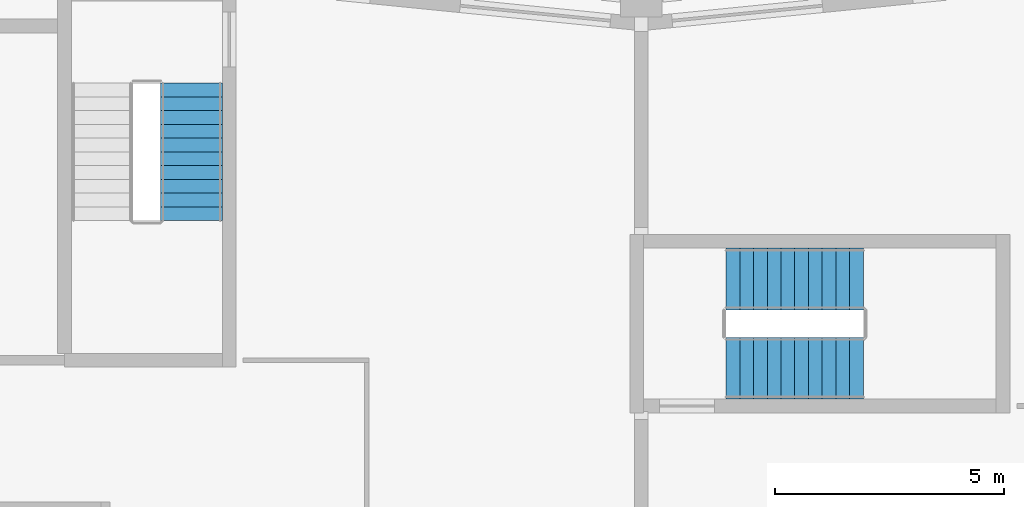
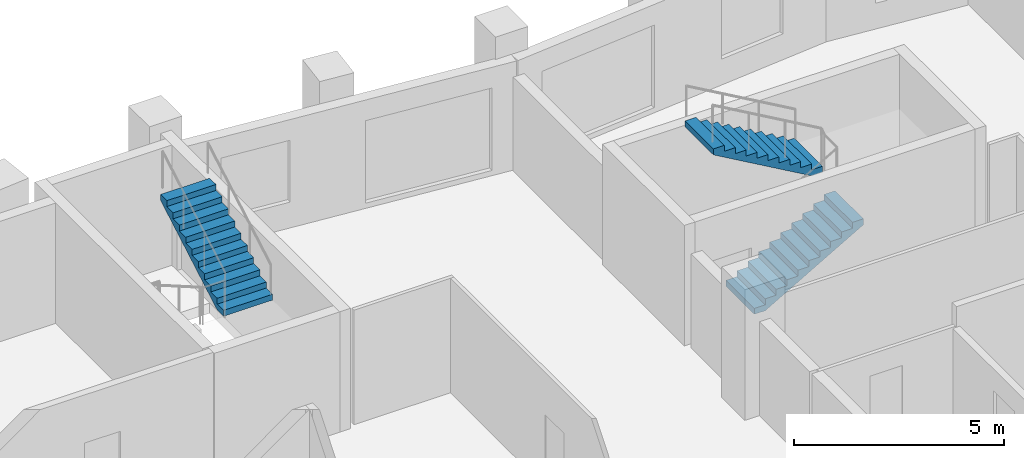
# One storey, part 7 of 8: 3 stair flights, 2 elements without a shape of their own.
"""IFC4 building model written with IfcOpenShell, lengths in metres."""

from ifc_helpers import new_model, si_unit, direction, frame, origin, place, context, subcontext, project, spatial, polyline, outline, extrude, material, type_object, element, aggregate, save


model = new_model("IFC4")

# Units and contexts
model_context = context("Model", 3, precision=1e-05, world=origin(), true_north=direction((0.0, 1.0)))
body_context = subcontext(model_context, "Body", "Model", "MODEL_VIEW")
ifc_project = project(units=[si_unit("LENGTHUNIT", "METRE"), si_unit("AREAUNIT", "SQUARE_METRE"), si_unit("VOLUMEUNIT", "CUBIC_METRE"), si_unit("PLANEANGLEUNIT", "RADIAN"), si_unit("MASSUNIT", "GRAM", prefix="KILO")], contexts=[model_context])

# Site, building, storey
site_placement = place(None, origin())
site = spatial("IfcSite", under=ifc_project, at=site_placement, CompositionType="ELEMENT")
building_placement = place(site_placement, origin())
building = spatial("IfcBuilding", under=site, at=building_placement, Name="Brondeck Convention Tower", CompositionType="ELEMENT")
storey_placement = place(building_placement, frame((0.0, 0.0, 240.60009765625)))
storey = spatial("IfcBuildingStorey", under=building, at=storey_placement, Name="L59", CompositionType="ELEMENT", Elevation=240.60009765625)

# Stair, stair flight
ifc_material = material(Name="Precast concrete C50/60", Category="concrete")
stair_type = type_object("IfcStairType", Name="Core stair 22 risers 172.73 mm riser 300 mm going 1350 wide", PredefinedType="HALF_TURN_STAIR", material=ifc_material)
stair_1_placement = place(storey_placement, origin())
stair_1 = element("IfcStair", 1, at=stair_1_placement, inside=storey, type_object=stair_type, Name="ST-2 L59 stair", PredefinedType="HALF_TURN_STAIR")
stair_flight_type = type_object("IfcStairFlightType", Name="Core stair flight 22 risers 172.73 mm riser 300 mm going 1350 wide", PredefinedType="STRAIGHT", material=ifc_material)
stair_flight_1_placement = place(storey_placement, frame((26.175048828125, 58.050048828125, 1.89990234375), z_axis=(0.0, 0.0, 1.0), x_axis=(0.0, 1.0, 0.0)))
stair_flight_1 = element("IfcStairFlight", 2, at=stair_flight_1_placement, type_object=stair_flight_type, Name="ST-2 flight 2", NumberOfRisers=11, NumberOfTreads=10, PredefinedType="STRAIGHT", RiserHeight=0.172727273, TreadLength=0.3, context=body_context, shape_type="SweptSolid", body=[
    extrude(outline(polyline([(0.0, 0.0), (0.0, 0.172607421875), (0.300048828125, 0.172607421875), (0.300048828125, 0.345458984375), (0.60009765625, 0.345458984375), (0.60009765625, 0.51806640625), (0.89990234375, 0.51806640625), (0.89990234375, 0.69091796875), (1.199951171875, 0.69091796875), (1.199951171875, 0.863525390625), (1.5, 0.863525390625), (1.5, 1.036376953125), (1.800048828125, 1.036376953125), (1.800048828125, 1.208984375), (2.10009765625, 1.208984375), (2.10009765625, 1.3818359375), (2.39990234375, 1.3818359375), (2.39990234375, 1.554443359375), (2.699951171875, 1.554443359375), (2.699951171875, 1.727294921875), (3.0, 1.727294921875), (3.0, 1.89990234375), (3.0, 1.55419921875), (0.300537109375, 0.0), (0.0, 0.0)])), frame((0.0, 0.675048828125, 0.0), z_axis=(0.0, -1.0, 0.0), x_axis=(1.0, 0.0, 0.0)), (0.0, 0.0, 1.0), 1.35009765625),
])
aggregate(stair_1, [stair_flight_1])

# Stair, stair flights
stair_2_placement = place(storey_placement, origin())
stair_2 = element("IfcStair", 3, at=stair_2_placement, inside=storey, type_object=stair_type, Name="ST-AE L59 stair", PredefinedType="HALF_TURN_STAIR")
stair_flight_2_placement = place(storey_placement, frame((37.85009765625, 54.824951171875, 0.0), z_axis=(0.0, 0.0, 1.0), x_axis=(1.0, 0.0, 0.0)))
stair_flight_2 = element("IfcStairFlight", 4, at=stair_flight_2_placement, type_object=stair_flight_type, Name="ST-AE flight 1", NumberOfRisers=11, NumberOfTreads=10, PredefinedType="STRAIGHT", RiserHeight=0.172727273, TreadLength=0.3, context=body_context, shape_type="SweptSolid", body=[
    extrude(outline(polyline([(0.0, 0.0), (0.0, 0.172607421875), (0.300048828125, 0.172607421875), (0.300048828125, 0.345458984375), (0.60009765625, 0.345458984375), (0.60009765625, 0.51806640625), (0.89990234375, 0.51806640625), (0.89990234375, 0.69091796875), (1.199951171875, 0.69091796875), (1.199951171875, 0.863525390625), (1.5, 0.863525390625), (1.5, 1.036376953125), (1.800048828125, 1.036376953125), (1.800048828125, 1.208984375), (2.10009765625, 1.208984375), (2.10009765625, 1.3818359375), (2.39990234375, 1.3818359375), (2.39990234375, 1.554443359375), (2.699951171875, 1.554443359375), (2.699951171875, 1.727294921875), (3.0, 1.727294921875), (3.0, 1.89990234375), (3.0, 1.55419921875), (0.300537109375, 0.0), (0.0, 0.0)])), frame((0.0, 0.675048828125, 0.0), z_axis=(0.0, -1.0, 0.0), x_axis=(1.0, 0.0, 0.0)), (0.0, 0.0, 1.0), 1.35009765625),
])
stair_flight_3_placement = place(storey_placement, frame((40.85009765625, 56.77490234375, 1.89990234375), z_axis=(0.0, 0.0, 1.0), x_axis=(-1.0, 0.0, 0.0)))
stair_flight_3 = element("IfcStairFlight", 5, at=stair_flight_3_placement, type_object=stair_flight_type, Name="ST-AE flight 2", NumberOfRisers=11, NumberOfTreads=10, PredefinedType="STRAIGHT", RiserHeight=0.172727273, TreadLength=0.3, context=body_context, shape_type="SweptSolid", body=[
    extrude(outline(polyline([(0.0, 0.0), (0.0, 0.172607421875), (0.300048828125, 0.172607421875), (0.300048828125, 0.345458984375), (0.60009765625, 0.345458984375), (0.60009765625, 0.51806640625), (0.89990234375, 0.51806640625), (0.89990234375, 0.69091796875), (1.199951171875, 0.69091796875), (1.199951171875, 0.863525390625), (1.5, 0.863525390625), (1.5, 1.036376953125), (1.800048828125, 1.036376953125), (1.800048828125, 1.208984375), (2.10009765625, 1.208984375), (2.10009765625, 1.3818359375), (2.39990234375, 1.3818359375), (2.39990234375, 1.554443359375), (2.699951171875, 1.554443359375), (2.699951171875, 1.727294921875), (3.0, 1.727294921875), (3.0, 1.89990234375), (3.0, 1.55419921875), (0.300537109375, 0.0), (0.0, 0.0)])), frame((0.0, 0.675048828125, 0.0), z_axis=(0.0, -1.0, 0.0), x_axis=(1.0, 0.0, 0.0)), (0.0, 0.0, 1.0), 1.35009765625),
])
aggregate(stair_2, [stair_flight_2, stair_flight_3])

save(model, "model.ifc")
